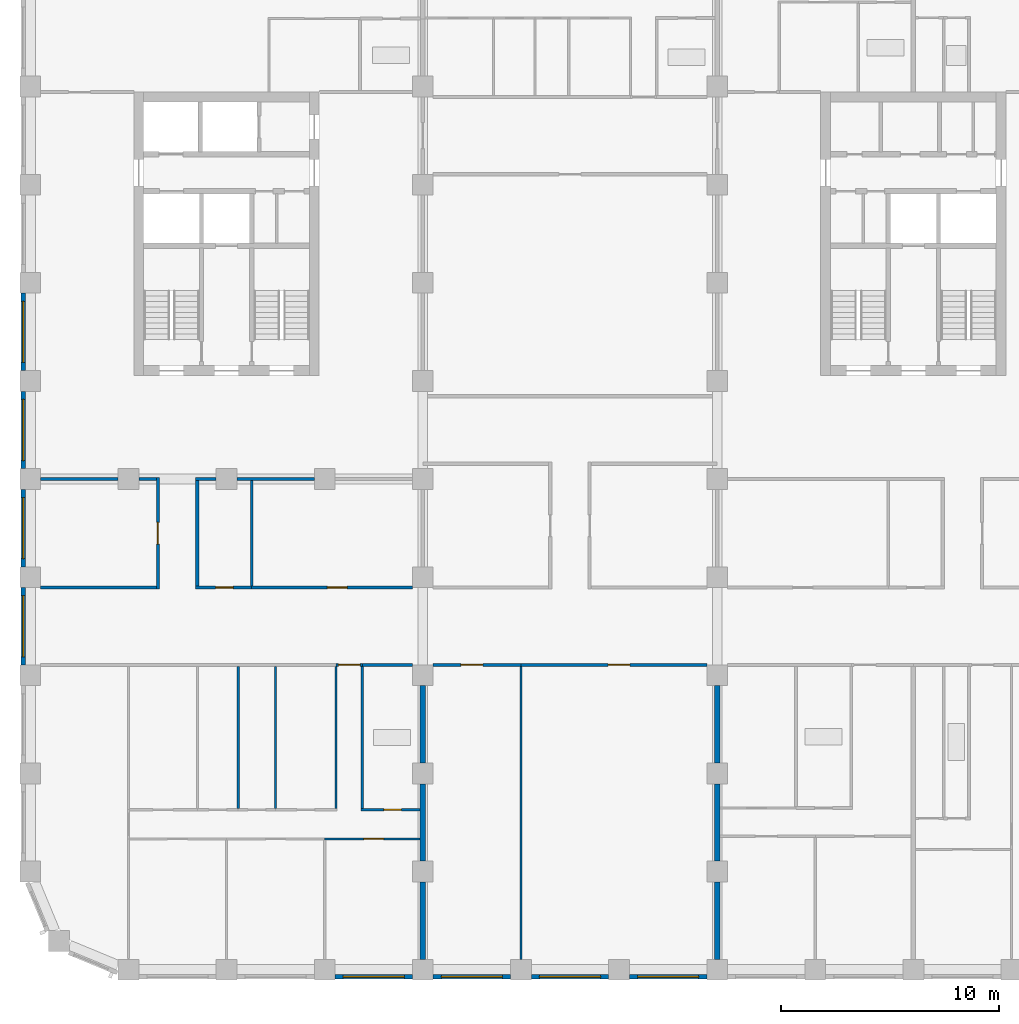
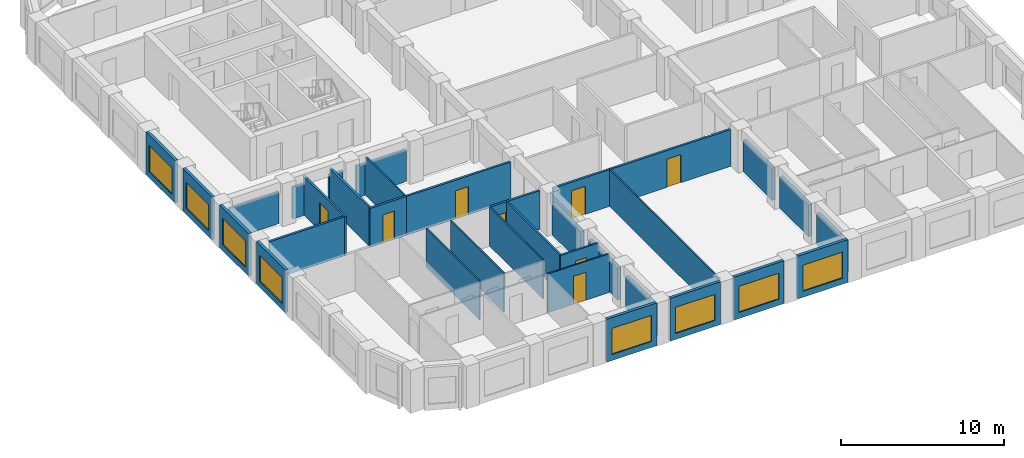
# One storey, part 3 of 13: 35 walls, 8 doors, 8 windows, 16 openings.
"""IFC4 building model written with IfcOpenShell, lengths in metres."""

from ifc_helpers import new_model, si_unit, direction, frame, frame_2d, origin, place, context, subcontext, project, spatial, rectangle, extrude, material, layer, layer_set, type_object, element, fill, save


model = new_model("IFC4")

# Units and contexts
model_context = context("Model", 3, precision=1e-05, world=origin(), true_north=direction((0.0, 1.0)))
body_context = subcontext(model_context, "Body", "Model", "MODEL_VIEW")
ifc_project = project(units=[si_unit("LENGTHUNIT", "METRE"), si_unit("AREAUNIT", "SQUARE_METRE"), si_unit("VOLUMEUNIT", "CUBIC_METRE"), si_unit("PLANEANGLEUNIT", "RADIAN"), si_unit("MASSUNIT", "GRAM", prefix="KILO")], contexts=[model_context])

# Site, building, storey
site_placement = place(None, origin())
site = spatial("IfcSite", under=ifc_project, at=site_placement, CompositionType="ELEMENT")
building_placement = place(site_placement, origin())
building = spatial("IfcBuilding", under=site, at=building_placement, Name="Girih Gate Residences", CompositionType="ELEMENT")
storey_placement = place(building_placement, frame((0.0, 0.0, 133.39990234375)))
storey = spatial("IfcBuildingStorey", under=building, at=storey_placement, Name="L37", CompositionType="ELEMENT", Elevation=133.39990234375)

# Walls
ifc_material_1 = material(Name="Gypsum board on steel studs", Category="steel")
ifc_layer_1 = layer(ifc_material_1, 0.25)
ifc_layer_set_1 = layer_set([ifc_layer_1], Name="Acoustic separating wall 250 mm")
wall_type_1 = type_object("IfcWallType", Name="Acoustic separating wall 250 mm", PredefinedType="PARTITIONING", material=ifc_layer_set_1)
for number, where, z_axis, x_axis, name in (
    (1, (18.0, 9.47509765625, 0.0), (0.0, 0.0, 1.0), (0.0, 1.0, 0.0), "L37 partition"),
    (2, (18.0, 4.97509765625, 0.0), (0.0, 0.0, 1.0), (0.0, 1.0, 0.0), "L37 partition"),
    (3, (18.0, 0.47509765625, 0.0), (0.0, 0.0, 1.0), (0.0, 1.0, 0.0), "L37 partition"),
    (4, (31.5, 9.47509765625, 0.0), (0.0, 0.0, 1.0), (0.0, 1.0, 0.0), "L37 partition"),
    (5, (31.5, 0.47509765625, 0.0), (0.0, 0.0, 1.0), (0.0, 1.0, 0.0), "L37 partition"),
    (6, (31.5, 4.97509765625, 0.0), (0.0, 0.0, 1.0), (0.0, 1.0, 0.0), "L37 partition"),
):
    element("IfcWall", number, at=place(storey_placement, frame(where, z_axis=z_axis, x_axis=x_axis)), inside=storey, type_object=wall_type_1, Name=name, PredefinedType="PARTITIONING", context=body_context, shape_type="SweptSolid", body=[
        extrude(rectangle(XDim=3.5498046875, YDim=0.25, at=frame_2d((1.77490234375, 0.0))), origin(), (0.0, 0.0, 1.0), 2.380126953125),
    ])
ifc_layer_2 = layer(ifc_material_1, 0.14990234375)
ifc_layer_set_2 = layer_set([ifc_layer_2], Name="Compartment wall 150 mm")
wall_type_2 = type_object("IfcWallType", Name="Compartment wall 150 mm", PredefinedType="PARTITIONING", material=ifc_layer_set_2)
wall_1_placement = place(storey_placement, frame((15.22509765625, 13.97509765625, 0.0), z_axis=(0.0, 0.0, 1.0), x_axis=(1.0, 0.0, 0.0)))
element("IfcWall", 7, at=wall_1_placement, inside=storey, type_object=wall_type_2, Name="L37 partition", PredefinedType="PARTITIONING", context=body_context, shape_type="SweptSolid", body=[
    extrude(rectangle(XDim=2.2998046875, YDim=0.14990234375, at=frame_2d((1.14990234375, 0.0))), origin(), (0.0, 0.0, 1.0), 2.900146484375),
])

# Wall, opening, door
wall_2_placement = place(storey_placement, frame((15.22509765625, 13.97509765625, 0.0), z_axis=(0.0, 0.0, 1.0), x_axis=(-1.0, 0.0, 0.0)))
wall_2 = element("IfcWall", 8, at=wall_2_placement, inside=storey, type_object=wall_type_2, Name="L37 partition", PredefinedType="PARTITIONING", context=body_context, shape_type="SweptSolid", body=[
    extrude(rectangle(XDim=1.2001953125, YDim=0.14990234375, at=frame_2d((0.60009765625, 0.0))), origin(), (0.0, 0.0, 1.0), 2.900146484375),
])
opening_1_placement = place(wall_2_placement, frame((0.10009765625, 0.0, 0.0)))
opening_1 = element("IfcOpeningElement", 9, at=opening_1_placement, cuts=wall_2, Name="Opening A37-010", PredefinedType="OPENING", context=body_context, shape_type="SweptSolid", body=[
    extrude(rectangle(XDim=1.0, YDim=2.10009765625, at=frame_2d((0.5, 1.050048828125))), frame((0.0, 0.0849609375, 0.0), z_axis=(0.0, -1.0, 0.0), x_axis=(1.0, 0.0, 0.0)), (0.0, 0.0, 1.0), 0.169921875),
])
ifc_material_2 = material(Name="Timber, fire-rated core", Category="wood")
door_type_1 = type_object("IfcDoorType", Name="Flat entrance door 1000x2100 FD30S", OperationType="NOTDEFINED", PredefinedType="DOOR", material=ifc_material_2)
door_1_placement = place(opening_1_placement, origin())
door_1 = element("IfcDoor", 10, at=door_1_placement, inside=storey, type_object=door_type_1, Name="Door A37-010", OperationType="SINGLE_SWING_RIGHT", OverallHeight=2.10009765625, OverallWidth=1.0, PredefinedType="DOOR", context=body_context, shape_type="SweptSolid", body=[
    extrude(rectangle(XDim=1.0, YDim=2.10009765625, at=frame_2d((0.5, 1.050048828125))), frame((0.0, 0.02490234375, 0.0), z_axis=(0.0, -1.0, 0.0), x_axis=(1.0, 0.0, 0.0)), (0.0, 0.0, 1.0), 0.050048828125),
])
fill(opening_1, door_1)

wall_3_placement = place(storey_placement, frame((22.5, 13.97509765625, 0.0), z_axis=(0.0, 0.0, 1.0), x_axis=(-1.0, 0.0, 0.0)))
wall_3 = element("IfcWall", 11, at=wall_3_placement, inside=storey, type_object=wall_type_2, Name="L37 partition", PredefinedType="PARTITIONING", context=body_context, shape_type="SweptSolid", body=[
    extrude(rectangle(XDim=4.02490234375, YDim=0.14990234375, at=frame_2d((2.012451171875, 0.0))), origin(), (0.0, 0.0, 1.0), 2.75),
])
opening_2_placement = place(wall_3_placement, frame((1.75, 0.0, 0.0)))
opening_2 = element("IfcOpeningElement", 12, at=opening_2_placement, cuts=wall_3, Name="Opening A37-049", PredefinedType="OPENING", context=body_context, shape_type="SweptSolid", body=[
    extrude(rectangle(XDim=1.0, YDim=2.10009765625, at=frame_2d((0.5, 1.050048828125))), frame((0.0, 0.0849609375, 0.0), z_axis=(0.0, -1.0, 0.0), x_axis=(1.0, 0.0, 0.0)), (0.0, 0.0, 1.0), 0.169921875),
])
door_type_2 = type_object("IfcDoorType", Name="Amenity room door 1000x2100 FD30S", OperationType="NOTDEFINED", PredefinedType="DOOR", material=ifc_material_2)
door_2_placement = place(opening_2_placement, origin())
door_2 = element("IfcDoor", 13, at=door_2_placement, inside=storey, type_object=door_type_2, Name="Door A37-049", OperationType="SINGLE_SWING_RIGHT", OverallHeight=2.10009765625, OverallWidth=1.0, PredefinedType="DOOR", context=body_context, shape_type="SweptSolid", body=[
    extrude(rectangle(XDim=1.0, YDim=2.10009765625, at=frame_2d((0.5, 1.050048828125))), frame((0.0, 0.02490234375, 0.0), z_axis=(0.0, -1.0, 0.0), x_axis=(1.0, 0.0, 0.0)), (0.0, 0.0, 1.0), 0.050048828125),
])
fill(opening_2, door_2)

wall_4_placement = place(storey_placement, frame((31.02490234375, 13.97509765625, 0.0), z_axis=(0.0, 0.0, 1.0), x_axis=(-1.0, 0.0, 0.0)))
wall_4 = element("IfcWall", 14, at=wall_4_placement, inside=storey, type_object=wall_type_2, Name="L37 partition", PredefinedType="PARTITIONING", context=body_context, shape_type="SweptSolid", body=[
    extrude(rectangle(XDim=8.52490234375, YDim=0.14990234375, at=frame_2d((4.262451171875, 0.0))), origin(), (0.0, 0.0, 1.0), 2.75),
])
opening_3_placement = place(wall_4_placement, frame((3.52490234375, 0.0, 0.0)))
opening_3 = element("IfcOpeningElement", 15, at=opening_3_placement, cuts=wall_4, Name="Opening A37-050", PredefinedType="OPENING", context=body_context, shape_type="SweptSolid", body=[
    extrude(rectangle(XDim=1.0, YDim=2.10009765625, at=frame_2d((0.5, 1.050048828125))), frame((0.0, 0.0849609375, 0.0), z_axis=(0.0, -1.0, 0.0), x_axis=(1.0, 0.0, 0.0)), (0.0, 0.0, 1.0), 0.169921875),
])
door_3_placement = place(opening_3_placement, origin())
door_3 = element("IfcDoor", 16, at=door_3_placement, inside=storey, type_object=door_type_2, Name="Door A37-050", OperationType="SINGLE_SWING_LEFT", OverallHeight=2.10009765625, OverallWidth=1.0, PredefinedType="DOOR", context=body_context, shape_type="SweptSolid", body=[
    extrude(rectangle(XDim=1.0, YDim=2.10009765625, at=frame_2d((0.5, 1.050048828125))), frame((0.0, 0.02490234375, 0.0), z_axis=(0.0, -1.0, 0.0), x_axis=(1.0, 0.0, 0.0)), (0.0, 0.0, 1.0), 0.050048828125),
])
fill(opening_3, door_3)

wall_5_placement = place(storey_placement, frame((10.14990234375, 17.52490234375, 0.0), z_axis=(0.0, 0.0, 1.0), x_axis=(1.0, 0.0, 0.0)))
wall_5 = element("IfcWall", 17, at=wall_5_placement, inside=storey, type_object=wall_type_2, Name="L37 partition", PredefinedType="PARTITIONING", context=body_context, shape_type="SweptSolid", body=[
    extrude(rectangle(XDim=7.375, YDim=0.14990234375, at=frame_2d((3.6875, 0.0))), origin(), (0.0, 0.0, 1.0), 2.900146484375),
])
opening_4_placement = place(wall_5_placement, frame((3.47509765625, 0.0, 0.0)))
opening_4 = element("IfcOpeningElement", 18, at=opening_4_placement, cuts=wall_5, Name="Opening A37-054", PredefinedType="OPENING", context=body_context, shape_type="SweptSolid", body=[
    extrude(rectangle(XDim=0.89990234375, YDim=2.10009765625, at=frame_2d((0.449951171875, 1.050048828125))), frame((0.0, 0.0849609375, 0.0), z_axis=(0.0, -1.0, 0.0), x_axis=(1.0, 0.0, 0.0)), (0.0, 0.0, 1.0), 0.169921875),
])
ifc_material_3 = material(Name="Timber", Category="wood")
door_type_3 = type_object("IfcDoorType", Name="Service room door 900x2100", OperationType="NOTDEFINED", PredefinedType="DOOR", material=ifc_material_3)
door_4_placement = place(opening_4_placement, origin())
door_4 = element("IfcDoor", 19, at=door_4_placement, inside=storey, type_object=door_type_3, Name="Door A37-054", OperationType="SINGLE_SWING_RIGHT", OverallHeight=2.10009765625, OverallWidth=0.89990234375, PredefinedType="DOOR", context=body_context, shape_type="SweptSolid", body=[
    extrude(rectangle(XDim=0.89990234375, YDim=2.10009765625, at=frame_2d((0.449951171875, 1.050048828125))), frame((0.0, 0.02490234375, 0.0), z_axis=(0.0, -1.0, 0.0), x_axis=(1.0, 0.0, 0.0)), (0.0, 0.0, 1.0), 0.050048828125),
])
fill(opening_4, door_4)

wall_6_placement = place(storey_placement, frame((7.574951171875, 17.52490234375, 0.0), z_axis=(0.0, 0.0, 1.0), x_axis=(1.0, 0.0, 0.0)))
wall_6 = element("IfcWall", 20, at=wall_6_placement, inside=storey, type_object=wall_type_2, Name="L37 partition", PredefinedType="PARTITIONING", context=body_context, shape_type="SweptSolid", body=[
    extrude(rectangle(XDim=2.574951171875, YDim=0.14990234375, at=frame_2d((1.28759765625, 0.0))), origin(), (0.0, 0.0, 1.0), 2.900146484375),
])
opening_5_placement = place(wall_6_placement, frame((0.925048828125, 0.0, 0.0)))
opening_5 = element("IfcOpeningElement", 21, at=opening_5_placement, cuts=wall_6, Name="Opening A37-056", PredefinedType="OPENING", context=body_context, shape_type="SweptSolid", body=[
    extrude(rectangle(XDim=0.800048828125, YDim=2.10009765625, at=frame_2d((0.39990234375, 1.050048828125))), frame((0.0, 0.0849609375, 0.0), z_axis=(0.0, -1.0, 0.0), x_axis=(1.0, 0.0, 0.0)), (0.0, 0.0, 1.0), 0.169921875),
])
door_type_4 = type_object("IfcDoorType", Name="Bathroom door 800x2100", OperationType="NOTDEFINED", PredefinedType="DOOR", material=ifc_material_3)
door_5_placement = place(opening_5_placement, origin())
door_5 = element("IfcDoor", 22, at=door_5_placement, inside=storey, type_object=door_type_4, Name="Door A37-056", OperationType="SINGLE_SWING_RIGHT", OverallHeight=2.10009765625, OverallWidth=0.800048828125, PredefinedType="DOOR", context=body_context, shape_type="SweptSolid", body=[
    extrude(rectangle(XDim=0.800048828125, YDim=2.10009765625, at=frame_2d((0.39990234375, 1.050048828125))), frame((0.0, 0.02490234375, 0.0), z_axis=(0.0, -1.0, 0.0), x_axis=(1.0, 0.0, 0.0)), (0.0, 0.0, 1.0), 0.050048828125),
])
fill(opening_5, door_5)

# Walls
wall_7_placement = place(storey_placement, frame((0.47509765625, 17.52490234375, 0.0), z_axis=(0.0, 0.0, 1.0), x_axis=(1.0, 0.0, 0.0)))
element("IfcWall", 23, at=wall_7_placement, inside=storey, type_object=wall_type_2, Name="L37 partition", PredefinedType="PARTITIONING", context=body_context, shape_type="SweptSolid", body=[
    extrude(rectangle(XDim=5.2998046875, YDim=0.14990234375, at=frame_2d((2.64990234375, 0.0))), origin(), (0.0, 0.0, 1.0), 2.900146484375),
])
wall_8_placement = place(storey_placement, frame((9.47509765625, 22.5, 0.0), z_axis=(0.0, 0.0, 1.0), x_axis=(1.0, 0.0, 0.0)))
element("IfcWall", 24, at=wall_8_placement, inside=storey, type_object=wall_type_2, Name="L37 partition", PredefinedType="PARTITIONING", context=body_context, shape_type="SweptSolid", body=[
    extrude(rectangle(XDim=3.5498046875, YDim=0.14990234375, at=frame_2d((1.77490234375, 0.0))), origin(), (0.0, 0.0, 1.0), 2.380126953125),
])
wall_9_placement = place(storey_placement, frame((7.574951171875, 22.5, 0.0), z_axis=(0.0, 0.0, 1.0), x_axis=(1.0, 0.0, 0.0)))
element("IfcWall", 25, at=wall_9_placement, inside=storey, type_object=wall_type_2, Name="L37 partition", PredefinedType="PARTITIONING", context=body_context, shape_type="SweptSolid", body=[
    extrude(rectangle(XDim=0.949951171875, YDim=0.14990234375, at=frame_2d((0.47509765625, 0.0))), origin(), (0.0, 0.0, 1.0), 2.380126953125),
])
wall_10_placement = place(storey_placement, frame((4.97509765625, 22.5, 0.0), z_axis=(0.0, 0.0, 1.0), x_axis=(1.0, 0.0, 0.0)))
element("IfcWall", 26, at=wall_10_placement, inside=storey, type_object=wall_type_2, Name="L37 partition", PredefinedType="PARTITIONING", context=body_context, shape_type="SweptSolid", body=[
    extrude(rectangle(XDim=0.7998046875, YDim=0.14990234375, at=frame_2d((0.39990234375, 0.0))), origin(), (0.0, 0.0, 1.0), 2.380126953125),
])
wall_11_placement = place(storey_placement, frame((0.47509765625, 22.5, 0.0), z_axis=(0.0, 0.0, 1.0), x_axis=(1.0, 0.0, 0.0)))
element("IfcWall", 27, at=wall_11_placement, inside=storey, type_object=wall_type_2, Name="L37 partition", PredefinedType="PARTITIONING", context=body_context, shape_type="SweptSolid", body=[
    extrude(rectangle(XDim=3.5498046875, YDim=0.14990234375, at=frame_2d((1.77490234375, 0.0))), origin(), (0.0, 0.0, 1.0), 2.380126953125),
])
wall_12_placement = place(storey_placement, frame((7.64990234375, 17.60009765625, 0.0), z_axis=(0.0, 0.0, 1.0), x_axis=(0.0, 1.0, 0.0)))
element("IfcWall", 28, at=wall_12_placement, inside=storey, type_object=wall_type_2, Name="L37 partition", PredefinedType="PARTITIONING", context=body_context, shape_type="SweptSolid", body=[
    extrude(rectangle(XDim=4.824951171875, YDim=0.14990234375, at=frame_2d((2.41259765625, 0.0))), origin(), (0.0, 0.0, 1.0), 2.900146484375),
])

# Wall, opening, door
wall_13_placement = place(storey_placement, frame((5.85009765625, 17.449951171875, 0.0), z_axis=(0.0, 0.0, 1.0), x_axis=(0.0, 1.0, 0.0)))
wall_13 = element("IfcWall", 29, at=wall_13_placement, inside=storey, type_object=wall_type_2, Name="L37 partition", PredefinedType="PARTITIONING", context=body_context, shape_type="SweptSolid", body=[
    extrude(rectangle(XDim=5.125, YDim=0.14990234375, at=frame_2d((2.5625, 0.0))), origin(), (0.0, 0.0, 1.0), 2.900146484375),
])
opening_6_placement = place(wall_13_placement, frame((2.0625, 0.0, 0.0)))
opening_6 = element("IfcOpeningElement", 30, at=opening_6_placement, cuts=wall_13, Name="Opening A37-058", PredefinedType="OPENING", context=body_context, shape_type="SweptSolid", body=[
    extrude(rectangle(XDim=1.0, YDim=2.10009765625, at=frame_2d((0.5, 1.050048828125))), frame((0.0, 0.0849609375, 0.0), z_axis=(0.0, -1.0, 0.0), x_axis=(1.0, 0.0, 0.0)), (0.0, 0.0, 1.0), 0.169921875),
])
door_6_placement = place(opening_6_placement, origin())
door_6 = element("IfcDoor", 31, at=door_6_placement, inside=storey, type_object=door_type_2, Name="Door A37-058", OperationType="SINGLE_SWING_RIGHT", OverallHeight=2.10009765625, OverallWidth=1.0, PredefinedType="DOOR", context=body_context, shape_type="SweptSolid", body=[
    extrude(rectangle(XDim=1.0, YDim=2.10009765625, at=frame_2d((0.5, 1.050048828125))), frame((0.0, 0.02490234375, 0.0), z_axis=(0.0, -1.0, 0.0), x_axis=(1.0, 0.0, 0.0)), (0.0, 0.0, 1.0), 0.050048828125),
])
fill(opening_6, door_6)

ifc_layer_3 = layer(ifc_material_1, 0.10009765625)
ifc_layer_set_3 = layer_set([ifc_layer_3], Name="Partition 100 mm")
wall_type_3 = type_object("IfcWallType", Name="Partition 100 mm", PredefinedType="PARTITIONING", material=ifc_layer_set_3)
wall_14_placement = place(storey_placement, frame((17.875, 5.9951171875, 0.0), z_axis=(0.0, 0.0, 1.0), x_axis=(-1.0, 0.0, 0.0)))
wall_14 = element("IfcWall", 32, at=wall_14_placement, inside=storey, type_object=wall_type_3, Name="L37 partition", PredefinedType="PARTITIONING", context=body_context, shape_type="SweptSolid", body=[
    extrude(rectangle(XDim=4.375, YDim=0.10009765625, at=frame_2d((2.1875, 0.0))), origin(), (0.0, 0.0, 1.0), 2.900146484375),
])
opening_7_placement = place(wall_14_placement, frame((1.675048828125, 0.0, 0.0)))
opening_7 = element("IfcOpeningElement", 33, at=opening_7_placement, cuts=wall_14, Name="Opening A37-004", PredefinedType="OPENING", context=body_context, shape_type="SweptSolid", body=[
    extrude(rectangle(XDim=0.89990234375, YDim=2.10009765625, at=frame_2d((0.449951171875, 1.050048828125))), frame((0.0, 0.06005859375, 0.0), z_axis=(0.0, -1.0, 0.0), x_axis=(1.0, 0.0, 0.0)), (0.0, 0.0, 1.0), 0.1201171875),
])
door_type_5 = type_object("IfcDoorType", Name="Bedroom door 900x2100", OperationType="NOTDEFINED", PredefinedType="DOOR", material=ifc_material_3)
door_7_placement = place(opening_7_placement, origin())
door_7 = element("IfcDoor", 34, at=door_7_placement, inside=storey, type_object=door_type_5, Name="Door A37-004", OperationType="SINGLE_SWING_LEFT", OverallHeight=2.10009765625, OverallWidth=0.89990234375, PredefinedType="DOOR", context=body_context, shape_type="SweptSolid", body=[
    extrude(rectangle(XDim=0.89990234375, YDim=2.10009765625, at=frame_2d((0.449951171875, 1.050048828125))), frame((0.0, 0.02490234375, 0.0), z_axis=(0.0, -1.0, 0.0), x_axis=(1.0, 0.0, 0.0)), (0.0, 0.0, 1.0), 0.050048828125),
])
fill(opening_7, door_7)

# Walls
for number, where, z_axis, x_axis, name in (
    (35, (14.02490234375, 7.385009765625, 0.0), (0.0, 0.0, 1.0), (0.0, 1.0, 0.0), "L37 partition"),
    (36, (11.24609375, 7.385009765625, 0.0), (0.0, 0.0, 1.0), (0.0, 1.0, 0.0), "L37 partition"),
    (37, (9.531982421875, 7.385009765625, 0.0), (0.0, 0.0, 1.0), (0.0, 1.0, 0.0), "L37 partition"),
):
    element("IfcWall", number, at=place(storey_placement, frame(where, z_axis=z_axis, x_axis=x_axis)), inside=storey, type_object=wall_type_3, Name=name, PredefinedType="PARTITIONING", context=body_context, shape_type="SweptSolid", body=[
        extrude(rectangle(XDim=6.514892578125, YDim=0.10009765625, at=frame_2d((3.25732421875, 0.0))), origin(), (0.0, 0.0, 1.0), 2.900146484375),
    ])
wall_15_placement = place(storey_placement, frame((22.5, 0.47509765625, 0.0), z_axis=(0.0, 0.0, 1.0), x_axis=(0.0, 1.0, 0.0)))
element("IfcWall", 38, at=wall_15_placement, inside=storey, type_object=wall_type_3, Name="L37 partition", PredefinedType="PARTITIONING", context=body_context, shape_type="SweptSolid", body=[
    extrude(rectangle(XDim=13.4248046875, YDim=0.10009765625, at=frame_2d((6.71240234375, 0.0))), origin(), (0.0, 0.0, 1.0), 2.75),
])
wall_16_placement = place(storey_placement, frame((10.14990234375, 17.60009765625, 0.0), z_axis=(0.0, 0.0, 1.0), x_axis=(0.0, 1.0, 0.0)))
element("IfcWall", 39, at=wall_16_placement, inside=storey, type_object=wall_type_3, Name="L37 partition", PredefinedType="PARTITIONING", context=body_context, shape_type="SweptSolid", body=[
    extrude(rectangle(XDim=4.824951171875, YDim=0.10009765625, at=frame_2d((2.41259765625, 0.0))), origin(), (0.0, 0.0, 1.0), 2.900146484375),
])

# Wall, opening, window
ifc_material_4 = material(Name="Precast concrete C50/60", Category="concrete")
ifc_layer_4 = layer(ifc_material_4, 0.06005859375, Name="Outer leaf")
ifc_material_5 = material(Name="Rigid PIR insulation")
ifc_layer_5 = layer(ifc_material_5, 0.090087890625, Name="Insulation")
ifc_material_6 = material(Name="Precast concrete C40/50", Category="concrete")
ifc_layer_6 = layer(ifc_material_6, 0.050048828125, Name="Inner leaf")
ifc_layer_set_4 = layer_set([ifc_layer_4, ifc_layer_5, ifc_layer_6], Name="Precast concrete C50/60 external wall 200")
wall_type_4 = type_object("IfcWallType", Name="Precast concrete C50/60 external wall 200", PredefinedType="SOLIDWALL", material=ifc_layer_set_4)
wall_17_placement = place(storey_placement, frame((17.52490234375, -0.324951171875, 0.0), z_axis=(0.0, 0.0, 1.0), x_axis=(-1.0, 0.0, 0.0)))
wall_17 = element("IfcWall", 40, at=wall_17_placement, inside=storey, type_object=wall_type_4, Name="External wall S0045_0000.2", PredefinedType="SOLIDWALL", context=body_context, shape_type="SweptSolid", body=[
    extrude(rectangle(XDim=3.5498046875, YDim=0.199951171875, at=frame_2d((1.77490234375, 0.0))), origin(), (0.0, 0.0, 1.0), 3.2001953125),
])
opening_8_placement = place(wall_17_placement, frame((0.375, 0.0, 0.449951171875)))
opening_8 = element("IfcOpeningElement", 41, at=opening_8_placement, cuts=wall_17, Name="Opening W-1B", PredefinedType="OPENING", context=body_context, shape_type="SweptSolid", body=[
    extrude(rectangle(XDim=2.800048828125, YDim=1.949951171875, at=frame_2d((1.39990234375, 0.97509765625))), frame((0.0, 0.10986328125, 0.0), z_axis=(0.0, -1.0, 0.0), x_axis=(1.0, 0.0, 0.0)), (0.0, 0.0, 1.0), 0.219970703125),
])
ifc_material_7 = material(Name="Double glazing in aluminium frame", Category="aluminium")
window_type = type_object("IfcWindowType", Name="Window W-1B 2800x1950", PartitioningType="SINGLE_PANEL", PredefinedType="WINDOW", material=ifc_material_7)
window_1_placement = place(opening_8_placement, origin())
window_1 = element("IfcWindow", 42, at=window_1_placement, inside=storey, type_object=window_type, Name="Window W-1B S0045_0000.2", OverallHeight=1.949951171875, OverallWidth=2.800048828125, PartitioningType="SINGLE_PANEL", PredefinedType="WINDOW", context=body_context, shape_type="SweptSolid", body=[
    extrude(rectangle(XDim=2.800048828125, YDim=1.949951171875, at=frame_2d((1.39990234375, 0.97509765625))), frame((0.0, 0.030029296875, 0.0), z_axis=(0.0, -1.0, 0.0), x_axis=(1.0, 0.0, 0.0)), (0.0, 0.0, 1.0), 0.06005859375),
])
fill(opening_8, window_1)

wall_18_placement = place(storey_placement, frame((22.02490234375, -0.324951171875, 0.0), z_axis=(0.0, 0.0, 1.0), x_axis=(-1.0, 0.0, 0.0)))
wall_18 = element("IfcWall", 43, at=wall_18_placement, inside=storey, type_object=wall_type_4, Name="External wall S0045_0000.3", PredefinedType="SOLIDWALL", context=body_context, shape_type="SweptSolid", body=[
    extrude(rectangle(XDim=3.5498046875, YDim=0.199951171875, at=frame_2d((1.77490234375, 0.0))), origin(), (0.0, 0.0, 1.0), 3.2001953125),
])
opening_9_placement = place(wall_18_placement, frame((0.375, 0.0, 0.449951171875)))
opening_9 = element("IfcOpeningElement", 44, at=opening_9_placement, cuts=wall_18, Name="Opening W-1B", PredefinedType="OPENING", context=body_context, shape_type="SweptSolid", body=[
    extrude(rectangle(XDim=2.800048828125, YDim=1.949951171875, at=frame_2d((1.39990234375, 0.97509765625))), frame((0.0, 0.10986328125, 0.0), z_axis=(0.0, -1.0, 0.0), x_axis=(1.0, 0.0, 0.0)), (0.0, 0.0, 1.0), 0.219970703125),
])
window_2_placement = place(opening_9_placement, origin())
window_2 = element("IfcWindow", 45, at=window_2_placement, inside=storey, type_object=window_type, Name="Window W-1B S0045_0000.3", OverallHeight=1.949951171875, OverallWidth=2.800048828125, PartitioningType="SINGLE_PANEL", PredefinedType="WINDOW", context=body_context, shape_type="SweptSolid", body=[
    extrude(rectangle(XDim=2.800048828125, YDim=1.949951171875, at=frame_2d((1.39990234375, 0.97509765625))), frame((0.0, 0.030029296875, 0.0), z_axis=(0.0, -1.0, 0.0), x_axis=(1.0, 0.0, 0.0)), (0.0, 0.0, 1.0), 0.06005859375),
])
fill(opening_9, window_2)

wall_19_placement = place(storey_placement, frame((26.52490234375, -0.324951171875, 0.0), z_axis=(0.0, 0.0, 1.0), x_axis=(-1.0, 0.0, 0.0)))
wall_19 = element("IfcWall", 46, at=wall_19_placement, inside=storey, type_object=wall_type_4, Name="External wall S0045_0000.4", PredefinedType="SOLIDWALL", context=body_context, shape_type="SweptSolid", body=[
    extrude(rectangle(XDim=3.5498046875, YDim=0.199951171875, at=frame_2d((1.77490234375, 0.0))), origin(), (0.0, 0.0, 1.0), 3.2001953125),
])
opening_10_placement = place(wall_19_placement, frame((0.375, 0.0, 0.449951171875)))
opening_10 = element("IfcOpeningElement", 47, at=opening_10_placement, cuts=wall_19, Name="Opening W-1B", PredefinedType="OPENING", context=body_context, shape_type="SweptSolid", body=[
    extrude(rectangle(XDim=2.800048828125, YDim=1.949951171875, at=frame_2d((1.39990234375, 0.97509765625))), frame((0.0, 0.10986328125, 0.0), z_axis=(0.0, -1.0, 0.0), x_axis=(1.0, 0.0, 0.0)), (0.0, 0.0, 1.0), 0.219970703125),
])
window_3_placement = place(opening_10_placement, origin())
window_3 = element("IfcWindow", 48, at=window_3_placement, inside=storey, type_object=window_type, Name="Window W-1B S0045_0000.4", OverallHeight=1.949951171875, OverallWidth=2.800048828125, PartitioningType="SINGLE_PANEL", PredefinedType="WINDOW", context=body_context, shape_type="SweptSolid", body=[
    extrude(rectangle(XDim=2.800048828125, YDim=1.949951171875, at=frame_2d((1.39990234375, 0.97509765625))), frame((0.0, 0.030029296875, 0.0), z_axis=(0.0, -1.0, 0.0), x_axis=(1.0, 0.0, 0.0)), (0.0, 0.0, 1.0), 0.06005859375),
])
fill(opening_10, window_3)

wall_20_placement = place(storey_placement, frame((31.02490234375, -0.324951171875, 0.0), z_axis=(0.0, 0.0, 1.0), x_axis=(-1.0, 0.0, 0.0)))
wall_20 = element("IfcWall", 49, at=wall_20_placement, inside=storey, type_object=wall_type_4, Name="External wall S0045_0000.5", PredefinedType="SOLIDWALL", context=body_context, shape_type="SweptSolid", body=[
    extrude(rectangle(XDim=3.5498046875, YDim=0.199951171875, at=frame_2d((1.77490234375, 0.0))), origin(), (0.0, 0.0, 1.0), 3.2001953125),
])
opening_11_placement = place(wall_20_placement, frame((0.375, 0.0, 0.449951171875)))
opening_11 = element("IfcOpeningElement", 50, at=opening_11_placement, cuts=wall_20, Name="Opening W-1B", PredefinedType="OPENING", context=body_context, shape_type="SweptSolid", body=[
    extrude(rectangle(XDim=2.800048828125, YDim=1.949951171875, at=frame_2d((1.39990234375, 0.97509765625))), frame((0.0, 0.10986328125, 0.0), z_axis=(0.0, -1.0, 0.0), x_axis=(1.0, 0.0, 0.0)), (0.0, 0.0, 1.0), 0.219970703125),
])
window_4_placement = place(opening_11_placement, origin())
window_4 = element("IfcWindow", 51, at=window_4_placement, inside=storey, type_object=window_type, Name="Window W-1B S0045_0000.5", OverallHeight=1.949951171875, OverallWidth=2.800048828125, PartitioningType="SINGLE_PANEL", PredefinedType="WINDOW", context=body_context, shape_type="SweptSolid", body=[
    extrude(rectangle(XDim=2.800048828125, YDim=1.949951171875, at=frame_2d((1.39990234375, 0.97509765625))), frame((0.0, 0.030029296875, 0.0), z_axis=(0.0, -1.0, 0.0), x_axis=(1.0, 0.0, 0.0)), (0.0, 0.0, 1.0), 0.06005859375),
])
fill(opening_11, window_4)

wall_21_placement = place(storey_placement, frame((-0.324951171875, 27.47509765625, 0.0), z_axis=(0.0, 0.0, 1.0), x_axis=(0.0, 1.0, 0.0)))
wall_21 = element("IfcWall", 52, at=wall_21_placement, inside=storey, type_object=wall_type_4, Name="External wall W0000_0450.3", PredefinedType="SOLIDWALL", context=body_context, shape_type="SweptSolid", body=[
    extrude(rectangle(XDim=3.5498046875, YDim=0.199951171875, at=frame_2d((1.77490234375, 0.0))), origin(), (0.0, 0.0, 1.0), 3.2001953125),
])
opening_12_placement = place(wall_21_placement, frame((0.375, 0.0, 0.449951171875)))
opening_12 = element("IfcOpeningElement", 53, at=opening_12_placement, cuts=wall_21, Name="Opening W-1B", PredefinedType="OPENING", context=body_context, shape_type="SweptSolid", body=[
    extrude(rectangle(XDim=2.800048828125, YDim=1.949951171875, at=frame_2d((1.39990234375, 0.97509765625))), frame((0.0, 0.10986328125, 0.0), z_axis=(0.0, -1.0, 0.0), x_axis=(1.0, 0.0, 0.0)), (0.0, 0.0, 1.0), 0.219970703125),
])
window_5_placement = place(opening_12_placement, origin())
window_5 = element("IfcWindow", 54, at=window_5_placement, inside=storey, type_object=window_type, Name="Window W-1B W0000_0450.3", OverallHeight=1.949951171875, OverallWidth=2.800048828125, PartitioningType="SINGLE_PANEL", PredefinedType="WINDOW", context=body_context, shape_type="SweptSolid", body=[
    extrude(rectangle(XDim=2.800048828125, YDim=1.949951171875, at=frame_2d((1.39990234375, 0.97509765625))), frame((0.0, 0.030029296875, 0.0), z_axis=(0.0, -1.0, 0.0), x_axis=(1.0, 0.0, 0.0)), (0.0, 0.0, 1.0), 0.06005859375),
])
fill(opening_12, window_5)

wall_22_placement = place(storey_placement, frame((-0.324951171875, 22.97509765625, 0.0), z_axis=(0.0, 0.0, 1.0), x_axis=(0.0, 1.0, 0.0)))
wall_22 = element("IfcWall", 55, at=wall_22_placement, inside=storey, type_object=wall_type_4, Name="External wall W0000_0450.4", PredefinedType="SOLIDWALL", context=body_context, shape_type="SweptSolid", body=[
    extrude(rectangle(XDim=3.5498046875, YDim=0.199951171875, at=frame_2d((1.77490234375, 0.0))), origin(), (0.0, 0.0, 1.0), 3.2001953125),
])
opening_13_placement = place(wall_22_placement, frame((0.375, 0.0, 0.449951171875)))
opening_13 = element("IfcOpeningElement", 56, at=opening_13_placement, cuts=wall_22, Name="Opening W-1B", PredefinedType="OPENING", context=body_context, shape_type="SweptSolid", body=[
    extrude(rectangle(XDim=2.800048828125, YDim=1.949951171875, at=frame_2d((1.39990234375, 0.97509765625))), frame((0.0, 0.10986328125, 0.0), z_axis=(0.0, -1.0, 0.0), x_axis=(1.0, 0.0, 0.0)), (0.0, 0.0, 1.0), 0.219970703125),
])
window_6_placement = place(opening_13_placement, origin())
window_6 = element("IfcWindow", 57, at=window_6_placement, inside=storey, type_object=window_type, Name="Window W-1B W0000_0450.4", OverallHeight=1.949951171875, OverallWidth=2.800048828125, PartitioningType="SINGLE_PANEL", PredefinedType="WINDOW", context=body_context, shape_type="SweptSolid", body=[
    extrude(rectangle(XDim=2.800048828125, YDim=1.949951171875, at=frame_2d((1.39990234375, 0.97509765625))), frame((0.0, 0.030029296875, 0.0), z_axis=(0.0, -1.0, 0.0), x_axis=(1.0, 0.0, 0.0)), (0.0, 0.0, 1.0), 0.06005859375),
])
fill(opening_13, window_6)

wall_23_placement = place(storey_placement, frame((-0.324951171875, 18.47509765625, 0.0), z_axis=(0.0, 0.0, 1.0), x_axis=(0.0, 1.0, 0.0)))
wall_23 = element("IfcWall", 58, at=wall_23_placement, inside=storey, type_object=wall_type_4, Name="External wall W0000_0450.5", PredefinedType="SOLIDWALL", context=body_context, shape_type="SweptSolid", body=[
    extrude(rectangle(XDim=3.5498046875, YDim=0.199951171875, at=frame_2d((1.77490234375, 0.0))), origin(), (0.0, 0.0, 1.0), 3.2001953125),
])
opening_14_placement = place(wall_23_placement, frame((0.375, 0.0, 0.449951171875)))
opening_14 = element("IfcOpeningElement", 59, at=opening_14_placement, cuts=wall_23, Name="Opening W-1B", PredefinedType="OPENING", context=body_context, shape_type="SweptSolid", body=[
    extrude(rectangle(XDim=2.800048828125, YDim=1.949951171875, at=frame_2d((1.39990234375, 0.97509765625))), frame((0.0, 0.10986328125, 0.0), z_axis=(0.0, -1.0, 0.0), x_axis=(1.0, 0.0, 0.0)), (0.0, 0.0, 1.0), 0.219970703125),
])
window_7_placement = place(opening_14_placement, origin())
window_7 = element("IfcWindow", 60, at=window_7_placement, inside=storey, type_object=window_type, Name="Window W-1B W0000_0450.5", OverallHeight=1.949951171875, OverallWidth=2.800048828125, PartitioningType="SINGLE_PANEL", PredefinedType="WINDOW", context=body_context, shape_type="SweptSolid", body=[
    extrude(rectangle(XDim=2.800048828125, YDim=1.949951171875, at=frame_2d((1.39990234375, 0.97509765625))), frame((0.0, 0.030029296875, 0.0), z_axis=(0.0, -1.0, 0.0), x_axis=(1.0, 0.0, 0.0)), (0.0, 0.0, 1.0), 0.06005859375),
])
fill(opening_14, window_7)

wall_24_placement = place(storey_placement, frame((-0.324951171875, 13.97509765625, 0.0), z_axis=(0.0, 0.0, 1.0), x_axis=(0.0, 1.0, 0.0)))
wall_24 = element("IfcWall", 61, at=wall_24_placement, inside=storey, type_object=wall_type_4, Name="External wall W0000_0450.6", PredefinedType="SOLIDWALL", context=body_context, shape_type="SweptSolid", body=[
    extrude(rectangle(XDim=3.5498046875, YDim=0.199951171875, at=frame_2d((1.77490234375, 0.0))), origin(), (0.0, 0.0, 1.0), 3.2001953125),
])
opening_15_placement = place(wall_24_placement, frame((0.375, 0.0, 0.449951171875)))
opening_15 = element("IfcOpeningElement", 62, at=opening_15_placement, cuts=wall_24, Name="Opening W-1B", PredefinedType="OPENING", context=body_context, shape_type="SweptSolid", body=[
    extrude(rectangle(XDim=2.800048828125, YDim=1.949951171875, at=frame_2d((1.39990234375, 0.97509765625))), frame((0.0, 0.10986328125, 0.0), z_axis=(0.0, -1.0, 0.0), x_axis=(1.0, 0.0, 0.0)), (0.0, 0.0, 1.0), 0.219970703125),
])
window_8_placement = place(opening_15_placement, origin())
window_8 = element("IfcWindow", 63, at=window_8_placement, inside=storey, type_object=window_type, Name="Window W-1B W0000_0450.6", OverallHeight=1.949951171875, OverallWidth=2.800048828125, PartitioningType="SINGLE_PANEL", PredefinedType="WINDOW", context=body_context, shape_type="SweptSolid", body=[
    extrude(rectangle(XDim=2.800048828125, YDim=1.949951171875, at=frame_2d((1.39990234375, 0.97509765625))), frame((0.0, 0.030029296875, 0.0), z_axis=(0.0, -1.0, 0.0), x_axis=(1.0, 0.0, 0.0)), (0.0, 0.0, 1.0), 0.06005859375),
])
fill(opening_15, window_8)

# Wall, opening, door
ifc_layer_7 = layer(ifc_material_1, 0.125)
ifc_layer_set_5 = layer_set([ifc_layer_7], Name="Wet room wall 125 mm")
wall_type_5 = type_object("IfcWallType", Name="Wet room wall 125 mm", PredefinedType="PARTITIONING", material=ifc_layer_set_5)
wall_25_placement = place(storey_placement, frame((15.16259765625, 7.3349609375, 0.0), z_axis=(0.0, 0.0, 1.0), x_axis=(1.0, 0.0, 0.0)))
wall_25 = element("IfcWall", 64, at=wall_25_placement, inside=storey, type_object=wall_type_5, Name="L37 partition", PredefinedType="PARTITIONING", context=body_context, shape_type="SweptSolid", body=[
    extrude(rectangle(XDim=2.71240234375, YDim=0.125, at=frame_2d((1.356201171875, 0.0))), origin(), (0.0, 0.0, 1.0), 2.900146484375),
])
opening_16_placement = place(wall_25_placement, frame((1.050048828125, 0.0, 0.0)))
opening_16 = element("IfcOpeningElement", 65, at=opening_16_placement, cuts=wall_25, Name="Opening A37-001", PredefinedType="OPENING", context=body_context, shape_type="SweptSolid", body=[
    extrude(rectangle(XDim=0.800048828125, YDim=2.10009765625, at=frame_2d((0.39990234375, 1.050048828125))), frame((0.0, 0.072509765625, 0.0), z_axis=(0.0, -1.0, 0.0), x_axis=(1.0, 0.0, 0.0)), (0.0, 0.0, 1.0), 0.14501953125),
])
door_8_placement = place(opening_16_placement, origin())
door_8 = element("IfcDoor", 66, at=door_8_placement, inside=storey, type_object=door_type_4, Name="Door A37-001", OperationType="SINGLE_SWING_RIGHT", OverallHeight=2.10009765625, OverallWidth=0.800048828125, PredefinedType="DOOR", context=body_context, shape_type="SweptSolid", body=[
    extrude(rectangle(XDim=0.800048828125, YDim=2.10009765625, at=frame_2d((0.39990234375, 1.050048828125))), frame((0.0, 0.02490234375, 0.0), z_axis=(0.0, -1.0, 0.0), x_axis=(1.0, 0.0, 0.0)), (0.0, 0.0, 1.0), 0.050048828125),
])
fill(opening_16, door_8)

# Wall
wall_26_placement = place(storey_placement, frame((15.22509765625, 7.3974609375, 0.0), z_axis=(0.0, 0.0, 1.0), x_axis=(0.0, 1.0, 0.0)))
element("IfcWall", 67, at=wall_26_placement, inside=storey, type_object=wall_type_5, Name="L37 partition", PredefinedType="PARTITIONING", context=body_context, shape_type="SweptSolid", body=[
    extrude(rectangle(XDim=6.50244140625, YDim=0.125, at=frame_2d((3.251220703125, 0.0))), origin(), (0.0, 0.0, 1.0), 2.900146484375),
])

save(model, "model.ifc")
